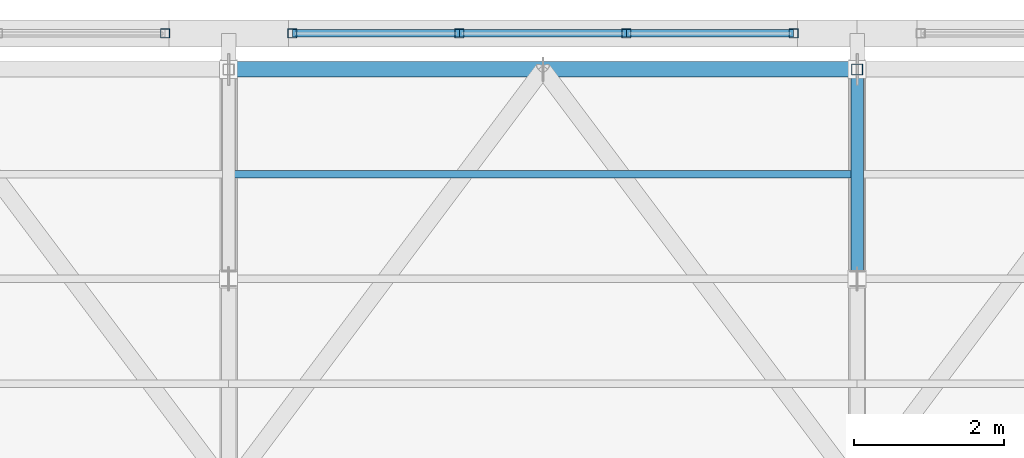
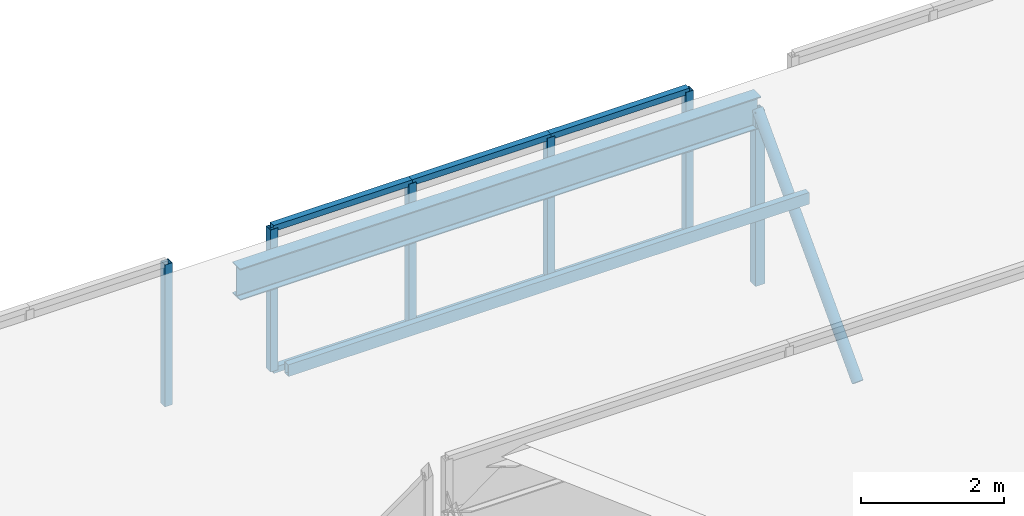
# One storey, part 116 of 217: 15 members, 2 elements without a shape of their own.
"""IFC4 building model written with IfcOpenShell, lengths in metres."""

from ifc_helpers import new_model, si_unit, direction, frame, origin, origin_2d, place, context, subcontext, project, spatial, hollow_rectangle, hollow_circle, i_section, extrude, material, material_profile, profile_set, type_object, element, aggregate, save


model = new_model("IFC4")

# Units and contexts
model_context = context("Model", 3, precision=1e-05, world=origin(), true_north=direction((0.0, 1.0)))
body_context = subcontext(model_context, "Body", "Model", "MODEL_VIEW")
ifc_project = project(units=[si_unit("LENGTHUNIT", "METRE"), si_unit("AREAUNIT", "SQUARE_METRE"), si_unit("VOLUMEUNIT", "CUBIC_METRE"), si_unit("PLANEANGLEUNIT", "RADIAN"), si_unit("MASSUNIT", "GRAM", prefix="KILO")], contexts=[model_context])

# Site, building, storey
site_placement = place(None, origin())
site = spatial("IfcSite", under=ifc_project, at=site_placement, CompositionType="ELEMENT")
building_placement = place(site_placement, origin())
building = spatial("IfcBuilding", under=site, at=building_placement, Name="Zuvorla Pavilion Media Centre", CompositionType="ELEMENT")
storey_placement = place(building_placement, frame((0.0, 0.0, 9.60009765625)))
storey = spatial("IfcBuildingStorey", under=building, at=storey_placement, Name="L02", CompositionType="ELEMENT", Elevation=9.60009765625)

# Curtain wall, member
ifc_material_1 = material(Name="Unitised anodised aluminium and solar glass curtain wall", Category="aluminium")
curtain_wall_type = type_object("IfcCurtainWallType", Name="CW-SYS-89", PredefinedType="USERDEFINED", material=ifc_material_1)
curtain_wall_1_placement = place(storey_placement, origin())
curtain_wall_1 = element("IfcCurtainWall", 1, at=curtain_wall_1_placement, inside=storey, type_object=curtain_wall_type, Name="L02 curtain wall CW89 217", ObjectType="CURTAIN WALL", PredefinedType="USERDEFINED")
ifc_material_2 = material(Name="Anodised aluminium 6063-T6", Category="aluminium")
ifc_material_profile_1 = material_profile(ifc_material_2, hollow_rectangle(XDim=0.1201171875, YDim=0.1201171875, WallThickness=0.0048828125, at=origin_2d()), Name="ALU MULL 120x120")
ifc_profile_set_1 = profile_set([ifc_material_profile_1], Name="Anodised aluminium 6063-T6")
member_type_1 = type_object("IfcMemberType", Name="CW-MULL-120", PredefinedType="MULLION", material=ifc_profile_set_1)
member_1_placement = place(storey_placement, frame((82.749755859375, 120.0, 0.0), z_axis=(0.0, 0.0, 1.0), x_axis=(1.0, 0.0, 0.0)))
member_1 = element("IfcMember", 2, at=member_1_placement, type_object=member_type_1, Name="CW89 mullion 4", PredefinedType="MULLION", context=body_context, shape_type="SweptSolid", body=[
    extrude(hollow_rectangle(XDim=0.1201171875, YDim=0.1201171875, WallThickness=0.0048828125, at=origin_2d()), origin(), (0.0, 0.0, 1.0), 2.419921875),
])
aggregate(curtain_wall_1, [member_1])

# Curtain wall, members
curtain_wall_2_placement = place(storey_placement, origin())
curtain_wall_2 = element("IfcCurtainWall", 3, at=curtain_wall_2_placement, inside=storey, type_object=curtain_wall_type, Name="L02 curtain wall CW89 218", ObjectType="CURTAIN WALL", PredefinedType="USERDEFINED")
member_2_placement = place(storey_placement, frame((84.4501953125, 120.0, 0.0), z_axis=(0.0, 0.0, 1.0), x_axis=(1.0, 0.0, 0.0)))
member_2 = element("IfcMember", 4, at=member_2_placement, type_object=member_type_1, Name="CW89 mullion 1", PredefinedType="MULLION", context=body_context, shape_type="SweptSolid", body=[
    extrude(hollow_rectangle(XDim=0.1201171875, YDim=0.1201171875, WallThickness=0.0048828125, at=origin_2d()), origin(), (0.0, 0.0, 1.0), 2.419921875),
])
member_3_placement = place(storey_placement, frame((86.683349609375, 120.0, 0.0), z_axis=(0.0, 0.0, 1.0), x_axis=(1.0, 0.0, 0.0)))
member_3 = element("IfcMember", 5, at=member_3_placement, type_object=member_type_1, Name="CW89 mullion 2", PredefinedType="MULLION", context=body_context, shape_type="SweptSolid", body=[
    extrude(hollow_rectangle(XDim=0.1201171875, YDim=0.1201171875, WallThickness=0.0048828125, at=origin_2d()), origin(), (0.0, 0.0, 1.0), 2.419921875),
])
member_4_placement = place(storey_placement, frame((88.91650390625, 120.0, 0.0), z_axis=(0.0, 0.0, 1.0), x_axis=(1.0, 0.0, 0.0)))
member_4 = element("IfcMember", 6, at=member_4_placement, type_object=member_type_1, Name="CW89 mullion 3", PredefinedType="MULLION", context=body_context, shape_type="SweptSolid", body=[
    extrude(hollow_rectangle(XDim=0.1201171875, YDim=0.1201171875, WallThickness=0.0048828125, at=origin_2d()), origin(), (0.0, 0.0, 1.0), 2.419921875),
])
member_5_placement = place(storey_placement, frame((91.149658203125, 120.0, 0.0), z_axis=(0.0, 0.0, 1.0), x_axis=(1.0, 0.0, 0.0)))
member_5 = element("IfcMember", 7, at=member_5_placement, type_object=member_type_1, Name="CW89 mullion 4", PredefinedType="MULLION", context=body_context, shape_type="SweptSolid", body=[
    extrude(hollow_rectangle(XDim=0.1201171875, YDim=0.1201171875, WallThickness=0.0048828125, at=origin_2d()), origin(), (0.0, 0.0, 1.0), 2.419921875),
])
ifc_material_profile_2 = material_profile(ifc_material_2, hollow_rectangle(XDim=0.10009765625, YDim=0.10009765625, WallThickness=0.00439453125, at=origin_2d()), Name="ALU TRAN 100x100")
ifc_profile_set_2 = profile_set([ifc_material_profile_2], Name="Anodised aluminium 6063-T6")
member_type_2 = type_object("IfcMemberType", Name="CW-TRAN-100", PredefinedType="USERDEFINED", material=ifc_profile_set_2)
member_6_placement = place(storey_placement, frame((84.4501953125, 120.0, 0.0), z_axis=(1.0, 0.0, 0.0), x_axis=(0.0, 1.0, 0.0)))
member_6 = element("IfcMember", 8, at=member_6_placement, type_object=member_type_2, Name="CW89 transom 1.1", ObjectType="TRANSOM", PredefinedType="USERDEFINED", context=body_context, shape_type="SweptSolid", body=[
    extrude(hollow_rectangle(XDim=0.10009765625, YDim=0.10009765625, WallThickness=0.00439453125, at=origin_2d()), origin(), (0.0, 0.0, 1.0), 2.233154296875),
])
member_7_placement = place(storey_placement, frame((84.4501953125, 120.0, 2.419921875), z_axis=(1.0, 0.0, 0.0), x_axis=(0.0, 1.0, 0.0)))
member_7 = element("IfcMember", 9, at=member_7_placement, type_object=member_type_2, Name="CW89 transom 1.2", ObjectType="TRANSOM", PredefinedType="USERDEFINED", context=body_context, shape_type="SweptSolid", body=[
    extrude(hollow_rectangle(XDim=0.10009765625, YDim=0.10009765625, WallThickness=0.00439453125, at=origin_2d()), origin(), (0.0, 0.0, 1.0), 2.233154296875),
])
member_8_placement = place(storey_placement, frame((86.683349609375, 120.0, 0.0), z_axis=(1.0, 0.0, 0.0), x_axis=(0.0, 1.0, 0.0)))
member_8 = element("IfcMember", 10, at=member_8_placement, type_object=member_type_2, Name="CW89 transom 2.1", ObjectType="TRANSOM", PredefinedType="USERDEFINED", context=body_context, shape_type="SweptSolid", body=[
    extrude(hollow_rectangle(XDim=0.10009765625, YDim=0.10009765625, WallThickness=0.00439453125, at=origin_2d()), origin(), (0.0, 0.0, 1.0), 2.233154296875),
])
member_9_placement = place(storey_placement, frame((86.683349609375, 120.0, 2.419921875), z_axis=(1.0, 0.0, 0.0), x_axis=(0.0, 1.0, 0.0)))
member_9 = element("IfcMember", 11, at=member_9_placement, type_object=member_type_2, Name="CW89 transom 2.2", ObjectType="TRANSOM", PredefinedType="USERDEFINED", context=body_context, shape_type="SweptSolid", body=[
    extrude(hollow_rectangle(XDim=0.10009765625, YDim=0.10009765625, WallThickness=0.00439453125, at=origin_2d()), origin(), (0.0, 0.0, 1.0), 2.233154296875),
])
member_10_placement = place(storey_placement, frame((88.91650390625, 120.0, 0.0), z_axis=(1.0, 0.0, 0.0), x_axis=(0.0, 1.0, 0.0)))
member_10 = element("IfcMember", 12, at=member_10_placement, type_object=member_type_2, Name="CW89 transom 3.1", ObjectType="TRANSOM", PredefinedType="USERDEFINED", context=body_context, shape_type="SweptSolid", body=[
    extrude(hollow_rectangle(XDim=0.10009765625, YDim=0.10009765625, WallThickness=0.00439453125, at=origin_2d()), origin(), (0.0, 0.0, 1.0), 2.233154296875),
])
member_11_placement = place(storey_placement, frame((88.91650390625, 120.0, 2.419921875), z_axis=(1.0, 0.0, 0.0), x_axis=(0.0, 1.0, 0.0)))
member_11 = element("IfcMember", 13, at=member_11_placement, type_object=member_type_2, Name="CW89 transom 3.2", ObjectType="TRANSOM", PredefinedType="USERDEFINED", context=body_context, shape_type="SweptSolid", body=[
    extrude(hollow_rectangle(XDim=0.10009765625, YDim=0.10009765625, WallThickness=0.00439453125, at=origin_2d()), origin(), (0.0, 0.0, 1.0), 2.233154296875),
])
aggregate(curtain_wall_2, [member_2, member_3, member_4, member_5, member_6, member_7, member_8, member_9, member_10, member_11])

# Members
ifc_material_3 = material(Name="Steel S355", Category="steel")
ifc_material_profile_3 = material_profile(ifc_material_3, hollow_circle(Radius=0.084228515625, WallThickness=0.008056640625, at=origin_2d()), Name="CHS 168.3x8")
ifc_profile_set_3 = profile_set([ifc_material_profile_3], Name="Steel S355")
member_type_3 = type_object("IfcMemberType", Name="MEM-BRC-CHS168", PredefinedType="BRACE", material=ifc_profile_set_3)
member_12_placement = place(storey_placement, frame((92.0, 116.719970703125, -0.880126953125), z_axis=(0.0, 0.68676242614, 0.726881950555), x_axis=(-1.0, 0.0, 0.0)))
element("IfcMember", 14, at=member_12_placement, inside=storey, type_object=member_type_3, Name="L02 diagonal brace TB03 423", PredefinedType="BRACE", context=body_context, shape_type="SweptSolid", body=[
    extrude(hollow_circle(Radius=0.084228515625, WallThickness=0.008056640625, at=origin_2d()), origin(), (0.0, 0.0, 1.0), 4.0771484375),
])
ifc_material_profile_4 = material_profile(ifc_material_3, i_section(OverallWidth=0.2099609375, OverallDepth=0.53662109375, WebThickness=0.0107421875, FlangeThickness=0.017333984375, FilletRadius=0.0126953125, at=origin_2d()), Name="UB 533x210x101")
ifc_profile_set_4 = profile_set([ifc_material_profile_4], Name="Steel S355")
member_type_4 = type_object("IfcMemberType", Name="MEM-CHD-UB533", PredefinedType="CHORD", material=ifc_profile_set_4)
member_13_placement = place(storey_placement, frame((83.60009765625, 119.52001953125, 2.08349609375), z_axis=(1.0, 0.0, 0.0), x_axis=(0.0, 1.0, 0.0)))
element("IfcMember", 15, at=member_13_placement, inside=storey, type_object=member_type_4, Name="L02 chord TC02 462", PredefinedType="CHORD", context=body_context, shape_type="SweptSolid", body=[
    extrude(i_section(OverallWidth=0.2099609375, OverallDepth=0.53662109375, WebThickness=0.0107421875, FlangeThickness=0.017333984375, FilletRadius=0.0126953125, at=origin_2d()), origin(), (0.0, 0.0, 1.0), 8.39990234375),
])
ifc_material_profile_5 = material_profile(ifc_material_3, hollow_rectangle(XDim=0.10009765625, YDim=0.199951171875, WallThickness=0.008056640625, at=origin_2d()), Name="RHS 200x100x8")
ifc_profile_set_5 = profile_set([ifc_material_profile_5], Name="Steel S355")
member_type_5 = type_object("IfcMemberType", Name="MEM-PUR-RHS200", PredefinedType="PURLIN", material=ifc_profile_set_5)
member_14_placement = place(storey_placement, frame((83.60009765625, 118.1201171875, 1.43359375), z_axis=(1.0, 0.0, 0.0), x_axis=(0.0, 1.0, 0.0)))
element("IfcMember", 16, at=member_14_placement, inside=storey, type_object=member_type_5, Name="L02 purlin PR01 467", PredefinedType="PURLIN", context=body_context, shape_type="SweptSolid", body=[
    extrude(hollow_rectangle(XDim=0.10009765625, YDim=0.199951171875, WallThickness=0.008056640625, at=origin_2d()), origin(), (0.0, 0.0, 1.0), 8.39990234375),
])
ifc_material_profile_6 = material_profile(ifc_material_3, hollow_rectangle(XDim=0.14990234375, YDim=0.14990234375, WallThickness=0.008056640625, at=origin_2d()), Name="SHS 150x150x8")
ifc_profile_set_6 = profile_set([ifc_material_profile_6], Name="Steel S355")
member_type_6 = type_object("IfcMemberType", Name="MEM-STR-SHS150", PredefinedType="STRUT", material=ifc_profile_set_6)
member_15_placement = place(storey_placement, frame((92.0, 119.52001953125, -0.880126953125), z_axis=(0.0, 0.0, 1.0), x_axis=(1.0, 0.0, 0.0)))
element("IfcMember", 17, at=member_15_placement, inside=storey, type_object=member_type_6, Name="L02 vertical strut TS01 422", PredefinedType="STRUT", context=body_context, shape_type="SweptSolid", body=[
    extrude(hollow_rectangle(XDim=0.14990234375, YDim=0.14990234375, WallThickness=0.008056640625, at=origin_2d()), origin(), (0.0, 0.0, 1.0), 2.963623046875),
])

save(model, "model.ifc")
